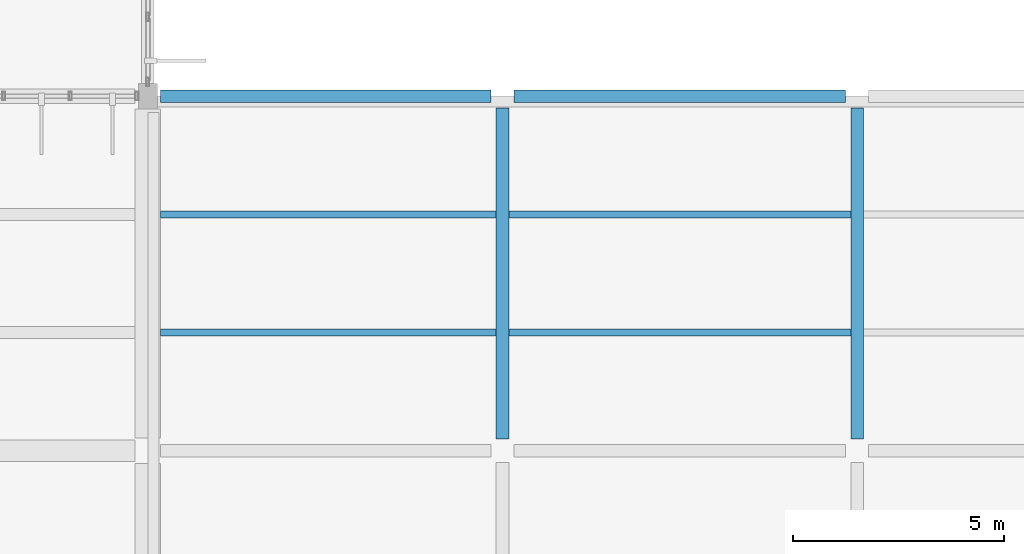
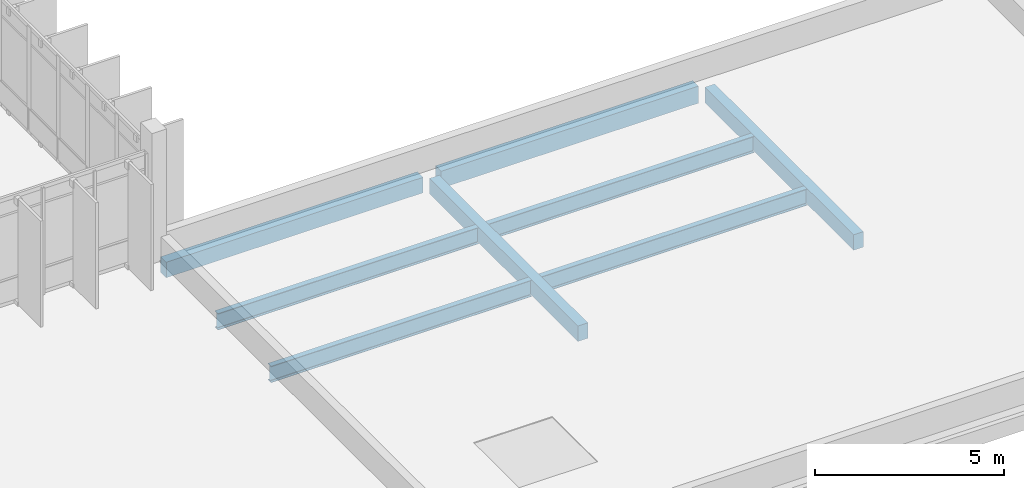
# One storey, part 16 of 107: 8 beams.
"""IFC4 building model written with IfcOpenShell, lengths in metres."""

from ifc_helpers import new_model, si_unit, direction, frame, origin, origin_2d, place, context, subcontext, project, spatial, rectangle, i_section, extrude, material, material_profile, profile_set, type_object, element, save


model = new_model("IFC4")

# Units and contexts
model_context = context("Model", 3, precision=1e-05, world=origin(), true_north=direction((0.0, 1.0)))
body_context = subcontext(model_context, "Body", "Model", "MODEL_VIEW")
ifc_project = project(units=[si_unit("LENGTHUNIT", "METRE"), si_unit("AREAUNIT", "SQUARE_METRE"), si_unit("VOLUMEUNIT", "CUBIC_METRE"), si_unit("PLANEANGLEUNIT", "RADIAN"), si_unit("MASSUNIT", "GRAM", prefix="KILO")], contexts=[model_context])

# Site, building, storey
site_placement = place(None, origin())
site = spatial("IfcSite", under=ifc_project, at=site_placement, CompositionType="ELEMENT")
building_placement = place(site_placement, origin())
building = spatial("IfcBuilding", under=site, at=building_placement, Name="Vireocrest Preparatory School", CompositionType="ELEMENT")
storey_placement = place(building_placement, frame((0.0, 0.0, 13.199951171875)))
storey = spatial("IfcBuildingStorey", under=building, at=storey_placement, Name="L03", CompositionType="ELEMENT", Elevation=13.199951171875)

# Beams
ifc_material_1 = material(Name="Structural steel ASTM A992 Grade 50", Category="steel")
ifc_material_profile_1 = material_profile(ifc_material_1, i_section(OverallWidth=0.166015625, OverallDepth=0.529052734375, WebThickness=0.009765625, FlangeThickness=0.013671875, FilletRadius=0.014892578125, at=origin_2d()), Name="W21X50")
ifc_profile_set_1 = profile_set([ifc_material_profile_1], Name="Structural steel ASTM A992 Grade 50")
beam_type_1 = type_object("IfcBeamType", Name="Pavilion Roof Joist W21X50", PredefinedType="JOIST", material=ifc_profile_set_1)
for number, where, z_axis, x_axis, name in (
    (1, (109.5, 29.800048828125, -0.484375), (1.0, 0.0, 0.0), (0.0, 1.0, 0.0), "Secondary Joist SJ1 L03-1279"),
    (2, (109.5, 32.60009765625, -0.484375), (1.0, 0.0, 0.0), (0.0, 1.0, 0.0), "Secondary Joist SJ1 L03-1280"),
):
    element("IfcBeam", number, at=place(storey_placement, frame(where, z_axis=z_axis, x_axis=x_axis)), inside=storey, type_object=beam_type_1, Name=name, PredefinedType="JOIST", context=body_context, shape_type="SweptSolid", body=[
        extrude(i_section(OverallWidth=0.166015625, OverallDepth=0.529052734375, WebThickness=0.009765625, FlangeThickness=0.013671875, FilletRadius=0.014892578125, at=origin_2d()), origin(), (0.0, 0.0, 1.0), 7.949951171875),
    ])
for number, where, z_axis, x_axis, name in (
    (3, (117.75, 29.800048828125, -0.484375), (1.0, 0.0, 0.0), (0.0, 1.0, 0.0), "Secondary Joist SJ1 L03-1287"),
    (4, (117.75, 32.60009765625, -0.484375), (1.0, 0.0, 0.0), (0.0, 1.0, 0.0), "Secondary Joist SJ1 L03-1288"),
):
    element("IfcBeam", number, at=place(storey_placement, frame(where, z_axis=z_axis, x_axis=x_axis)), inside=storey, type_object=beam_type_1, Name=name, PredefinedType="JOIST", context=body_context, shape_type="SweptSolid", body=[
        extrude(i_section(OverallWidth=0.166015625, OverallDepth=0.529052734375, WebThickness=0.009765625, FlangeThickness=0.013671875, FilletRadius=0.014892578125, at=origin_2d()), origin(), (0.0, 0.0, 1.0), 8.10009765625),
    ])
ifc_material_2 = material(Name="Concrete 40 MPa", Category="concrete")
ifc_material_profile_2 = material_profile(ifc_material_2, rectangle(XDim=0.300048828125, YDim=0.5, at=origin_2d()), Name="RC 300x500")
ifc_profile_set_2 = profile_set([ifc_material_profile_2], Name="Concrete 40 MPa")
beam_type_2 = type_object("IfcBeamType", Name="RC Roof Edge Beam 300x500", PredefinedType="BEAM", material=ifc_profile_set_2)
beam_1_placement = place(storey_placement, frame((109.5, 35.39990234375, -0.469970703125), z_axis=(1.0, 0.0, 0.0), x_axis=(0.0, 1.0, 0.0)))
element("IfcBeam", 5, at=beam_1_placement, inside=storey, type_object=beam_type_2, Name="Primary Girder B01 L03-1047", PredefinedType="BEAM", context=body_context, shape_type="SweptSolid", body=[
    extrude(rectangle(XDim=0.300048828125, YDim=0.5, at=origin_2d()), origin(), (0.0, 0.0, 1.0), 7.824951171875),
])
for number, where, z_axis, x_axis, name in (
    (6, (117.60009765625, 27.27490234375, -0.469970703125), (0.0, 1.0, 0.0), (-1.0, 0.0, 0.0), "Primary Girder B01 L03-1176"),
    (7, (126.0, 27.27490234375, -0.469970703125), (0.0, 1.0, 0.0), (-1.0, 0.0, 0.0), "Primary Girder B01 L03-1180"),
):
    element("IfcBeam", number, at=place(storey_placement, frame(where, z_axis=z_axis, x_axis=x_axis)), inside=storey, type_object=beam_type_2, Name=name, PredefinedType="BEAM", context=body_context, shape_type="SweptSolid", body=[
        extrude(rectangle(XDim=0.300048828125, YDim=0.5, at=origin_2d()), origin(), (0.0, 0.0, 1.0), 7.85009765625),
    ])
ifc_material_profile_3 = material_profile(ifc_material_2, rectangle(XDim=0.300048828125, YDim=0.550048828125, at=origin_2d()), Name="RC 300x550")
ifc_profile_set_3 = profile_set([ifc_material_profile_3], Name="Concrete 40 MPa")
beam_type_3 = type_object("IfcBeamType", Name="RC Roof Girder 300x550", PredefinedType="BEAM", material=ifc_profile_set_3)
beam_2_placement = place(storey_placement, frame((117.875, 35.39990234375, -0.494873046875), z_axis=(1.0, 0.0, 0.0), x_axis=(0.0, 1.0, 0.0)))
element("IfcBeam", 8, at=beam_2_placement, inside=storey, type_object=beam_type_3, Name="Primary Girder B02 L03-1048", PredefinedType="BEAM", context=body_context, shape_type="SweptSolid", body=[
    extrude(rectangle(XDim=0.300048828125, YDim=0.550048828125, at=origin_2d()), origin(), (0.0, 0.0, 1.0), 7.85009765625),
])

save(model, "model.ifc")
